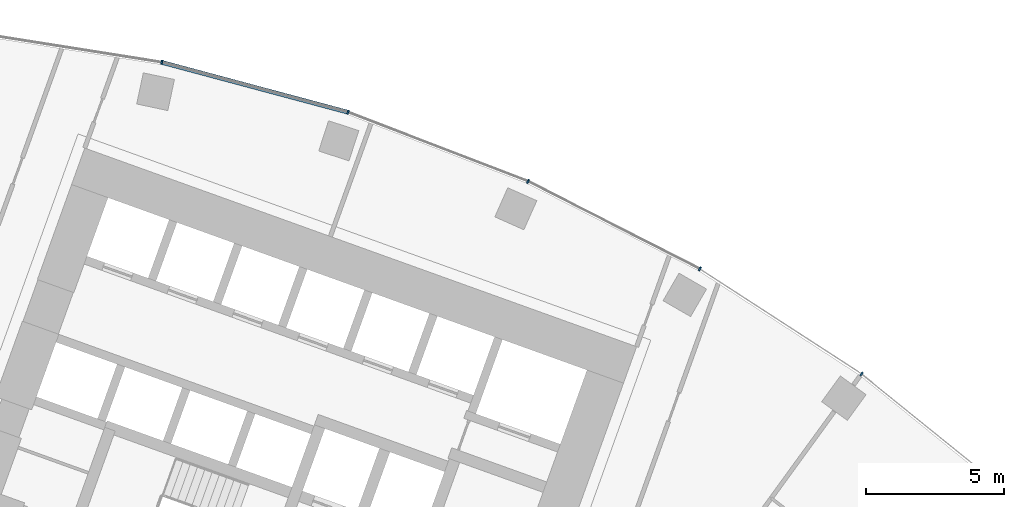
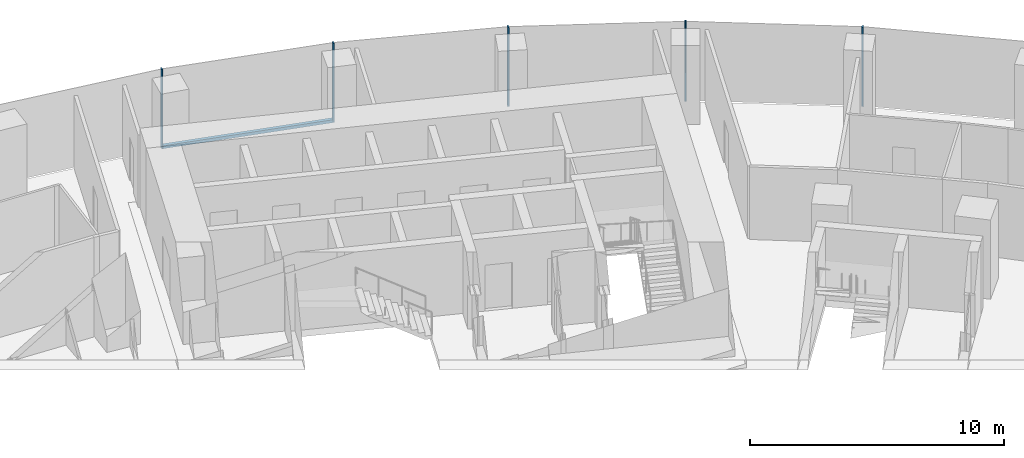
# One storey, part 11 of 21: 6 members, 1 element without a shape of its own.
"""IFC4 building model written with IfcOpenShell, lengths in metres."""

from ifc_helpers import new_model, si_unit, direction, frame, origin, origin_2d, place, context, subcontext, project, spatial, rectangle, extrude, material, layer, layer_set, material_profile, profile_set, type_object, element, aggregate, save


model = new_model("IFC4")

# Units and contexts
model_context = context("Model", 3, precision=1e-05, world=origin(), true_north=direction((0.0, 1.0)))
body_context = subcontext(model_context, "Body", "Model", "MODEL_VIEW")
ifc_project = project(units=[si_unit("LENGTHUNIT", "METRE"), si_unit("AREAUNIT", "SQUARE_METRE"), si_unit("VOLUMEUNIT", "CUBIC_METRE"), si_unit("PLANEANGLEUNIT", "RADIAN"), si_unit("MASSUNIT", "GRAM", prefix="KILO")], contexts=[model_context])

# Site, building, storey
site_placement = place(None, origin())
site = spatial("IfcSite", under=ifc_project, at=site_placement, CompositionType="ELEMENT")
building_placement = place(site_placement, origin())
building = spatial("IfcBuilding", under=site, at=building_placement, Name="Stone Belt Terrace Tower", CompositionType="ELEMENT")
storey_placement = place(building_placement, frame((0.0, 0.0, 94.60009765625)))
storey = spatial("IfcBuildingStorey", under=building, at=storey_placement, Name="L22", CompositionType="ELEMENT", Elevation=94.60009765625)

# Curtain wall, members
ifc_material = material(Name="Aluminium 6063-T6 anodised frame", Category="aluminium")
ifc_layer = layer(ifc_material, 0.14990234375)
ifc_layer_set = layer_set([ifc_layer], Name="CW-A unitised convex-face curtain wall")
curtain_wall_type = type_object("IfcCurtainWallType", Name="CW-A unitised convex-face curtain wall", PredefinedType="NOTDEFINED", material=ifc_layer_set)
curtain_wall_placement = place(storey_placement, origin())
curtain_wall = element("IfcCurtainWall", 1, at=curtain_wall_placement, inside=storey, type_object=curtain_wall_type, Name="CW-A convex face L22", PredefinedType="NOTDEFINED")
ifc_material_profile_1 = material_profile(ifc_material, rectangle(XDim=0.14990234375, YDim=0.06005859375, at=origin_2d()), Name="Aluminium 6063-T6 60x150")
ifc_profile_set_1 = profile_set([ifc_material_profile_1], Name="Aluminium 6063-T6 anodised frame")
member_type_1 = type_object("IfcMemberType", Name="CW-A mullion 60 x 150", PredefinedType="MULLION", material=ifc_profile_set_1)
member_1_placement = place(storey_placement, frame((39.1318359375, 53.8603515625, 0.0), z_axis=(0.0, 0.0, 1.0), x_axis=(-0.587785252292, -0.809016994375, 0.0)))
member_1 = element("IfcMember", 2, at=member_1_placement, type_object=member_type_1, Name="CW-A mullion 4", PredefinedType="MULLION", context=body_context, shape_type="SweptSolid", body=[
    extrude(rectangle(XDim=0.14990234375, YDim=0.06005859375, at=origin_2d()), origin(), (0.0, 0.0, 1.0), 3.7998046875),
])
member_2_placement = place(storey_placement, frame((33.28759765625, 57.65576171875, 0.0), z_axis=(0.0, 0.0, 1.0), x_axis=(-0.5, -0.866025403784, 0.0)))
member_2 = element("IfcMember", 3, at=member_2_placement, type_object=member_type_1, Name="CW-A mullion 5", PredefinedType="MULLION", context=body_context, shape_type="SweptSolid", body=[
    extrude(rectangle(XDim=0.14990234375, YDim=0.06005859375, at=origin_2d()), origin(), (0.0, 0.0, 1.0), 3.7998046875),
])
member_3_placement = place(storey_placement, frame((27.07861328125, 60.8193359375, 0.0), z_axis=(0.0, 0.0, 1.0), x_axis=(-0.406736643076, -0.913545457643, 0.0)))
member_3 = element("IfcMember", 4, at=member_3_placement, type_object=member_type_1, Name="CW-A mullion 6", PredefinedType="MULLION", context=body_context, shape_type="SweptSolid", body=[
    extrude(rectangle(XDim=0.14990234375, YDim=0.06005859375, at=origin_2d()), origin(), (0.0, 0.0, 1.0), 3.7998046875),
])
member_4_placement = place(storey_placement, frame((20.57275390625, 63.316650390625, 0.0), z_axis=(0.0, 0.0, 1.0), x_axis=(-0.309016994375, -0.951056516295, 0.0)))
member_4 = element("IfcMember", 5, at=member_4_placement, type_object=member_type_1, Name="CW-A mullion 7", PredefinedType="MULLION", context=body_context, shape_type="SweptSolid", body=[
    extrude(rectangle(XDim=0.14990234375, YDim=0.06005859375, at=origin_2d()), origin(), (0.0, 0.0, 1.0), 3.7998046875),
])
member_5_placement = place(storey_placement, frame((13.841796875, 65.120361328125, 0.0), z_axis=(0.0, 0.0, 1.0), x_axis=(-0.207911690818, -0.978147600734, 0.0)))
member_5 = element("IfcMember", 6, at=member_5_placement, type_object=member_type_1, Name="CW-A mullion 8", PredefinedType="MULLION", context=body_context, shape_type="SweptSolid", body=[
    extrude(rectangle(XDim=0.14990234375, YDim=0.06005859375, at=origin_2d()), origin(), (0.0, 0.0, 1.0), 3.7998046875),
])
ifc_material_profile_2 = material_profile(ifc_material, rectangle(XDim=0.14990234375, YDim=0.139892578125, at=origin_2d()), Name="Aluminium 6063-T6 150x140")
ifc_profile_set_2 = profile_set([ifc_material_profile_2], Name="Aluminium 6063-T6 anodised frame")
member_type_2 = type_object("IfcMemberType", Name="CW-A transom 140 x 150", PredefinedType="USERDEFINED", material=ifc_profile_set_2)
member_6_placement = place(storey_placement, frame((20.5400390625, 63.325439453125, 0.06982421875), z_axis=(-0.965921835863, 0.258833937117, 0.0), x_axis=(-0.258833937117, -0.965921835863, 0.0)))
member_6 = element("IfcMember", 7, at=member_6_placement, type_object=member_type_2, Name="CW-A transom 7.1", ObjectType="TRANSOM", PredefinedType="USERDEFINED", context=body_context, shape_type="SweptSolid", body=[
    extrude(rectangle(XDim=0.14990234375, YDim=0.139892578125, at=origin_2d()), origin(), (0.0, 0.0, 1.0), 6.900634765625),
])
aggregate(curtain_wall, [member_1, member_2, member_3, member_4, member_5, member_6])

save(model, "model.ifc")
